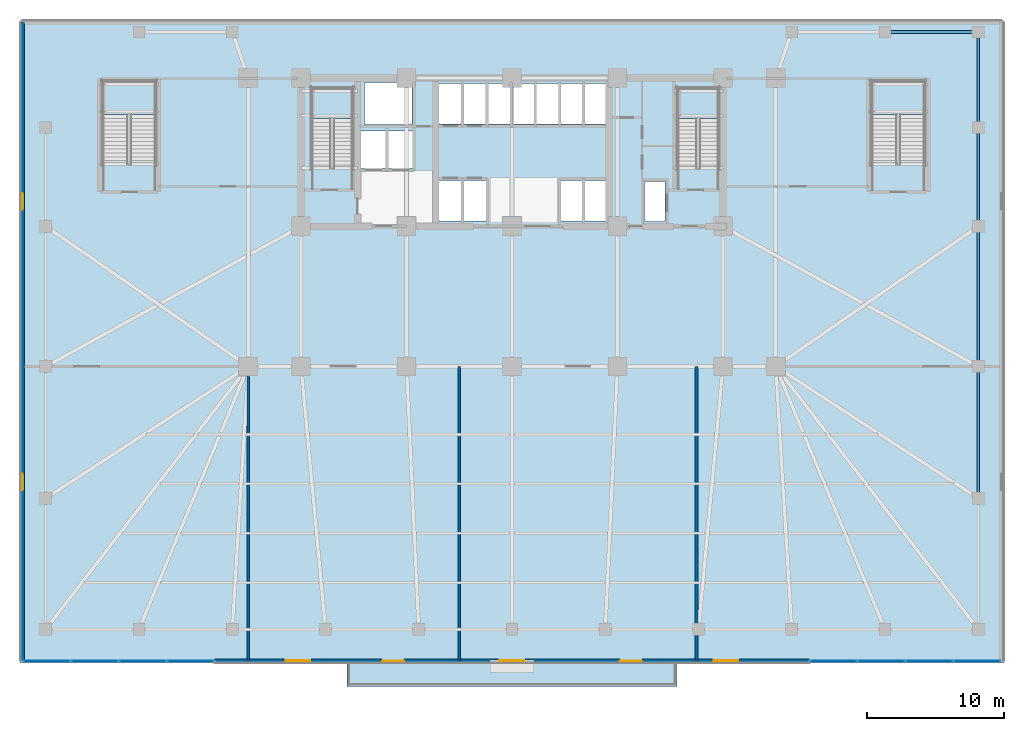
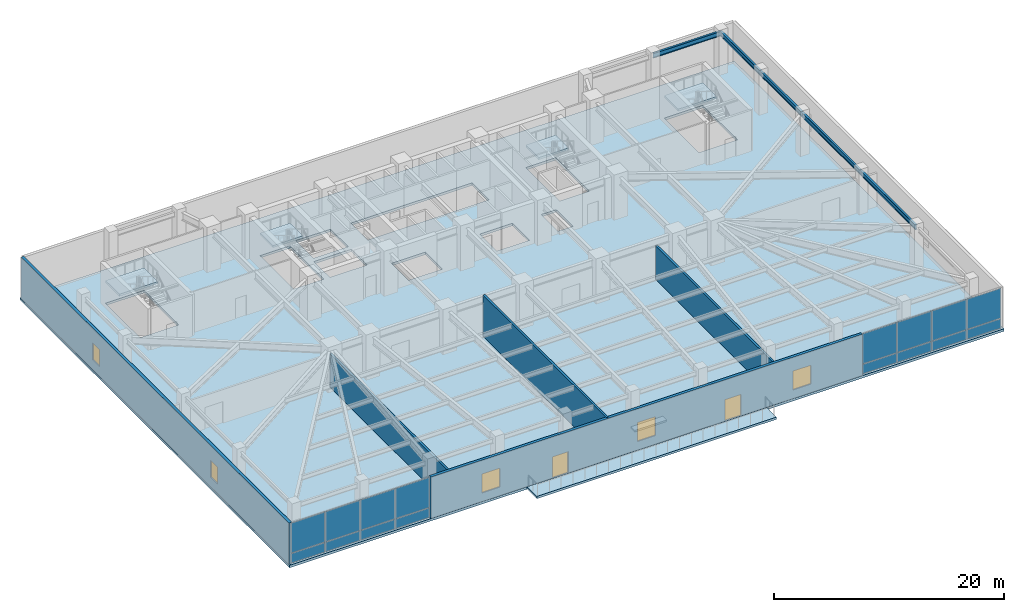
# One storey, part 7 of 15: 16 plates, 6 slabs, 5 beams, 5 walls, 5 windows, 2 doors, 7 openings, 6 elements without a shape of their own.
"""IFC4 building model written with IfcOpenShell, lengths in metres."""

from ifc_helpers import new_model, si_unit, direction, frame, frame_2d, origin, origin_2d, place, context, subcontext, project, spatial, polyline, rectangle, i_section, outline, extrude, material, layer, layer_set, material_profile, profile_set, type_object, element, fill, aggregate, save


model = new_model("IFC4")

# Units and contexts
model_context = context("Model", 3, precision=1e-05, world=origin(), true_north=direction((0.0, 1.0)))
body_context = subcontext(model_context, "Body", "Model", "MODEL_VIEW")
ifc_project = project(units=[si_unit("LENGTHUNIT", "METRE"), si_unit("AREAUNIT", "SQUARE_METRE"), si_unit("VOLUMEUNIT", "CUBIC_METRE"), si_unit("PLANEANGLEUNIT", "RADIAN"), si_unit("MASSUNIT", "GRAM", prefix="KILO")], contexts=[model_context])

# Site, building, storey
site_placement = place(None, origin())
site = spatial("IfcSite", under=ifc_project, at=site_placement, CompositionType="ELEMENT")
building_placement = place(site_placement, origin())
building = spatial("IfcBuilding", under=site, at=building_placement, Name="Yelkora Congress Tower", CompositionType="ELEMENT")
storey_placement = place(building_placement, frame((0.0, 0.0, 20.39990234375)))
storey = spatial("IfcBuildingStorey", under=building, at=storey_placement, Name="L04", CompositionType="ELEMENT", Elevation=20.39990234375)

# Beams
ifc_material_1 = material(Name="Steel S355J2", Category="steel")
ifc_material_profile = material_profile(ifc_material_1, i_section(OverallWidth=0.199951171875, OverallDepth=0.5, WebThickness=0.01025390625, FlangeThickness=0.01611328125, FilletRadius=0.02099609375, at=origin_2d()), Name="IPE 500")
ifc_profile_set = profile_set([ifc_material_profile], Name="Steel S355J2")
beam_type = type_object("IfcBeamType", Name="BM-SPAN-IPE500B", PredefinedType="BEAM", material=ifc_profile_set)
beam_1_placement = place(storey_placement, frame((72.35009765625, 15.60009765625, 4.130126953125), z_axis=(0.0, 1.0, 0.0), x_axis=(-1.0, 0.0, 0.0)))
element("IfcBeam", 1, at=beam_1_placement, inside=storey, type_object=beam_type, Name="L04 Perimeter Beam 13", PredefinedType="BEAM", context=body_context, shape_type="SweptSolid", body=[
    extrude(i_section(OverallWidth=0.199951171875, OverallDepth=0.5, WebThickness=0.01025390625, FlangeThickness=0.01611328125, FilletRadius=0.02099609375, at=origin_2d()), origin(), (0.0, 0.0, 1.0), 9.599853515625),
])
beam_2_placement = place(storey_placement, frame((72.35009765625, 25.199951171875, 4.130126953125), z_axis=(0.0, 1.0, 0.0), x_axis=(-1.0, 0.0, 0.0)))
element("IfcBeam", 2, at=beam_2_placement, inside=storey, type_object=beam_type, Name="L04 Perimeter Beam 14", PredefinedType="BEAM", context=body_context, shape_type="SweptSolid", body=[
    extrude(i_section(OverallWidth=0.199951171875, OverallDepth=0.5, WebThickness=0.01025390625, FlangeThickness=0.01611328125, FilletRadius=0.02099609375, at=origin_2d()), origin(), (0.0, 0.0, 1.0), 10.199951171875),
])
beam_3_placement = place(storey_placement, frame((72.35009765625, 35.39990234375, 4.130126953125), z_axis=(0.0, 1.0, 0.0), x_axis=(-1.0, 0.0, 0.0)))
element("IfcBeam", 3, at=beam_3_placement, inside=storey, type_object=beam_type, Name="L04 Perimeter Beam 15", PredefinedType="BEAM", context=body_context, shape_type="SweptSolid", body=[
    extrude(i_section(OverallWidth=0.199951171875, OverallDepth=0.5, WebThickness=0.01025390625, FlangeThickness=0.01611328125, FilletRadius=0.02099609375, at=origin_2d()), origin(), (0.0, 0.0, 1.0), 7.2001953125),
])
beam_4_placement = place(storey_placement, frame((72.35009765625, 42.60009765625, 4.130126953125), z_axis=(0.0, 1.0, 0.0), x_axis=(-1.0, 0.0, 0.0)))
element("IfcBeam", 4, at=beam_4_placement, inside=storey, type_object=beam_type, Name="L04 Perimeter Beam 16", PredefinedType="BEAM", context=body_context, shape_type="SweptSolid", body=[
    extrude(i_section(OverallWidth=0.199951171875, OverallDepth=0.5, WebThickness=0.01025390625, FlangeThickness=0.01611328125, FilletRadius=0.02099609375, at=origin_2d()), origin(), (0.0, 0.0, 1.0), 6.949951171875),
])
beam_5_placement = place(storey_placement, frame((72.35009765625, 49.550048828125, 4.130126953125), z_axis=(-1.0, 0.0, 0.0), x_axis=(0.0, -1.0, 0.0)))
element("IfcBeam", 5, at=beam_5_placement, inside=storey, type_object=beam_type, Name="L04 Perimeter Beam 17", PredefinedType="BEAM", context=body_context, shape_type="SweptSolid", body=[
    extrude(i_section(OverallWidth=0.199951171875, OverallDepth=0.5, WebThickness=0.01025390625, FlangeThickness=0.01611328125, FilletRadius=0.02099609375, at=origin_2d()), origin(), (0.0, 0.0, 1.0), 6.7900390625),
])

# Curtain wall, plates
ifc_material_2 = material(Name="Anodised aluminium and insulated glass", Category="aluminium")
curtain_wall_type = type_object("IfcCurtainWallType", Name="CW-SYS-POD", PredefinedType="NOTDEFINED", material=ifc_material_2)
curtain_wall_1_placement = place(storey_placement, origin())
curtain_wall_1 = element("IfcCurtainWall", 6, at=curtain_wall_1_placement, inside=storey, type_object=curtain_wall_type, Name="L04 Podium Curtain Wall West", PredefinedType="NOTDEFINED")
ifc_material_3 = material(Name="Double-glazed low-E podium vision glass", Category="glass")
ifc_layer_1 = layer(ifc_material_3, 0.0439453125)
ifc_layer_set_1 = layer_set([ifc_layer_1], Name="Double-glazed low-E podium vision glass")
plate_type = type_object("IfcPlateType", Name="PLT-PN-POD", PredefinedType="CURTAIN_PANEL", material=ifc_layer_set_1)
plate_1_placement = place(storey_placement, frame((4.52880859375, 3.760009765625, 0.070068359375), z_axis=(0.0, 0.0, 1.0), x_axis=(1.0, 0.0, 0.0)))
plate_1 = element("IfcPlate", 7, at=plate_1_placement, type_object=plate_type, Name="CW-POD panel 1.1", PredefinedType="CURTAIN_PANEL", context=body_context, shape_type="SweptSolid", body=[
    extrude(rectangle(XDim=3.387451171875, YDim=0.0439453125, at=origin_2d()), origin(), (0.0, 0.0, 1.0), 0.9951171875),
])
plate_2_placement = place(storey_placement, frame((4.52880859375, 3.760009765625, 1.13525390625), z_axis=(0.0, 0.0, 1.0), x_axis=(1.0, 0.0, 0.0)))
plate_2 = element("IfcPlate", 8, at=plate_2_placement, type_object=plate_type, Name="CW-POD panel 1.2", PredefinedType="CURTAIN_PANEL", context=body_context, shape_type="SweptSolid", body=[
    extrude(rectangle(XDim=3.387451171875, YDim=0.0439453125, at=origin_2d()), origin(), (0.0, 0.0, 1.0), 3.175048828125),
])
plate_3_placement = place(storey_placement, frame((8.010009765625, 3.760009765625, 0.070068359375), z_axis=(0.0, 0.0, 1.0), x_axis=(1.0, 0.0, 0.0)))
plate_3 = element("IfcPlate", 9, at=plate_3_placement, type_object=plate_type, Name="CW-POD panel 2.1", PredefinedType="CURTAIN_PANEL", context=body_context, shape_type="SweptSolid", body=[
    extrude(rectangle(XDim=3.425048828125, YDim=0.0439453125, at=origin_2d()), origin(), (0.0, 0.0, 1.0), 0.9951171875),
])
plate_4_placement = place(storey_placement, frame((8.010009765625, 3.760009765625, 1.13525390625), z_axis=(0.0, 0.0, 1.0), x_axis=(1.0, 0.0, 0.0)))
plate_4 = element("IfcPlate", 10, at=plate_4_placement, type_object=plate_type, Name="CW-POD panel 2.2", PredefinedType="CURTAIN_PANEL", context=body_context, shape_type="SweptSolid", body=[
    extrude(rectangle(XDim=3.425048828125, YDim=0.0439453125, at=origin_2d()), origin(), (0.0, 0.0, 1.0), 3.175048828125),
])
plate_5_placement = place(storey_placement, frame((11.510009765625, 3.760009765625, 0.070068359375), z_axis=(0.0, 0.0, 1.0), x_axis=(1.0, 0.0, 0.0)))
plate_5 = element("IfcPlate", 11, at=plate_5_placement, type_object=plate_type, Name="CW-POD panel 3.1", PredefinedType="CURTAIN_PANEL", context=body_context, shape_type="SweptSolid", body=[
    extrude(rectangle(XDim=3.425048828125, YDim=0.0439453125, at=origin_2d()), origin(), (0.0, 0.0, 1.0), 0.9951171875),
])
plate_6_placement = place(storey_placement, frame((11.510009765625, 3.760009765625, 1.13525390625), z_axis=(0.0, 0.0, 1.0), x_axis=(1.0, 0.0, 0.0)))
plate_6 = element("IfcPlate", 12, at=plate_6_placement, type_object=plate_type, Name="CW-POD panel 3.2", PredefinedType="CURTAIN_PANEL", context=body_context, shape_type="SweptSolid", body=[
    extrude(rectangle(XDim=3.425048828125, YDim=0.0439453125, at=origin_2d()), origin(), (0.0, 0.0, 1.0), 3.175048828125),
])
plate_7_placement = place(storey_placement, frame((14.9912109375, 3.760009765625, 0.070068359375), z_axis=(0.0, 0.0, 1.0), x_axis=(1.0, 0.0, 0.0)))
plate_7 = element("IfcPlate", 13, at=plate_7_placement, type_object=plate_type, Name="CW-POD panel 4.1", PredefinedType="CURTAIN_PANEL", context=body_context, shape_type="SweptSolid", body=[
    extrude(rectangle(XDim=3.387451171875, YDim=0.0439453125, at=origin_2d()), origin(), (0.0, 0.0, 1.0), 0.9951171875),
])
plate_8_placement = place(storey_placement, frame((14.9912109375, 3.760009765625, 1.13525390625), z_axis=(0.0, 0.0, 1.0), x_axis=(1.0, 0.0, 0.0)))
plate_8 = element("IfcPlate", 14, at=plate_8_placement, type_object=plate_type, Name="CW-POD panel 4.2", PredefinedType="CURTAIN_PANEL", context=body_context, shape_type="SweptSolid", body=[
    extrude(rectangle(XDim=3.387451171875, YDim=0.0439453125, at=origin_2d()), origin(), (0.0, 0.0, 1.0), 3.175048828125),
])
aggregate(curtain_wall_1, [plate_1, plate_2, plate_3, plate_4, plate_5, plate_6, plate_7, plate_8])

curtain_wall_2_placement = place(storey_placement, origin())
curtain_wall_2 = element("IfcCurtainWall", 15, at=curtain_wall_2_placement, inside=storey, type_object=curtain_wall_type, Name="L04 Podium Curtain Wall East", PredefinedType="NOTDEFINED")
plate_9_placement = place(storey_placement, frame((61.808837890625, 3.760009765625, 0.070068359375), z_axis=(0.0, 0.0, 1.0), x_axis=(1.0, 0.0, 0.0)))
plate_9 = element("IfcPlate", 16, at=plate_9_placement, type_object=plate_type, Name="CW-POD panel 1.1", PredefinedType="CURTAIN_PANEL", context=body_context, shape_type="SweptSolid", body=[
    extrude(rectangle(XDim=3.387451171875, YDim=0.0439453125, at=origin_2d()), origin(), (0.0, 0.0, 1.0), 0.9951171875),
])
plate_10_placement = place(storey_placement, frame((61.808837890625, 3.760009765625, 1.13525390625), z_axis=(0.0, 0.0, 1.0), x_axis=(1.0, 0.0, 0.0)))
plate_10 = element("IfcPlate", 17, at=plate_10_placement, type_object=plate_type, Name="CW-POD panel 1.2", PredefinedType="CURTAIN_PANEL", context=body_context, shape_type="SweptSolid", body=[
    extrude(rectangle(XDim=3.387451171875, YDim=0.0439453125, at=origin_2d()), origin(), (0.0, 0.0, 1.0), 3.175048828125),
])
plate_11_placement = place(storey_placement, frame((65.2900390625, 3.760009765625, 0.070068359375), z_axis=(0.0, 0.0, 1.0), x_axis=(1.0, 0.0, 0.0)))
plate_11 = element("IfcPlate", 18, at=plate_11_placement, type_object=plate_type, Name="CW-POD panel 2.1", PredefinedType="CURTAIN_PANEL", context=body_context, shape_type="SweptSolid", body=[
    extrude(rectangle(XDim=3.425048828125, YDim=0.0439453125, at=origin_2d()), origin(), (0.0, 0.0, 1.0), 0.9951171875),
])
plate_12_placement = place(storey_placement, frame((65.2900390625, 3.760009765625, 1.13525390625), z_axis=(0.0, 0.0, 1.0), x_axis=(1.0, 0.0, 0.0)))
plate_12 = element("IfcPlate", 19, at=plate_12_placement, type_object=plate_type, Name="CW-POD panel 2.2", PredefinedType="CURTAIN_PANEL", context=body_context, shape_type="SweptSolid", body=[
    extrude(rectangle(XDim=3.425048828125, YDim=0.0439453125, at=origin_2d()), origin(), (0.0, 0.0, 1.0), 3.175048828125),
])
plate_13_placement = place(storey_placement, frame((68.7900390625, 3.760009765625, 0.070068359375), z_axis=(0.0, 0.0, 1.0), x_axis=(1.0, 0.0, 0.0)))
plate_13 = element("IfcPlate", 20, at=plate_13_placement, type_object=plate_type, Name="CW-POD panel 3.1", PredefinedType="CURTAIN_PANEL", context=body_context, shape_type="SweptSolid", body=[
    extrude(rectangle(XDim=3.425048828125, YDim=0.0439453125, at=origin_2d()), origin(), (0.0, 0.0, 1.0), 0.9951171875),
])
plate_14_placement = place(storey_placement, frame((68.7900390625, 3.760009765625, 1.13525390625), z_axis=(0.0, 0.0, 1.0), x_axis=(1.0, 0.0, 0.0)))
plate_14 = element("IfcPlate", 21, at=plate_14_placement, type_object=plate_type, Name="CW-POD panel 3.2", PredefinedType="CURTAIN_PANEL", context=body_context, shape_type="SweptSolid", body=[
    extrude(rectangle(XDim=3.425048828125, YDim=0.0439453125, at=origin_2d()), origin(), (0.0, 0.0, 1.0), 3.175048828125),
])
plate_15_placement = place(storey_placement, frame((72.271240234375, 3.760009765625, 0.070068359375), z_axis=(0.0, 0.0, 1.0), x_axis=(1.0, 0.0, 0.0)))
plate_15 = element("IfcPlate", 22, at=plate_15_placement, type_object=plate_type, Name="CW-POD panel 4.1", PredefinedType="CURTAIN_PANEL", context=body_context, shape_type="SweptSolid", body=[
    extrude(rectangle(XDim=3.387451171875, YDim=0.0439453125, at=origin_2d()), origin(), (0.0, 0.0, 1.0), 0.9951171875),
])
plate_16_placement = place(storey_placement, frame((72.271240234375, 3.760009765625, 1.13525390625), z_axis=(0.0, 0.0, 1.0), x_axis=(1.0, 0.0, 0.0)))
plate_16 = element("IfcPlate", 23, at=plate_16_placement, type_object=plate_type, Name="CW-POD panel 4.2", PredefinedType="CURTAIN_PANEL", context=body_context, shape_type="SweptSolid", body=[
    extrude(rectangle(XDim=3.387451171875, YDim=0.0439453125, at=origin_2d()), origin(), (0.0, 0.0, 1.0), 3.175048828125),
])
aggregate(curtain_wall_2, [plate_9, plate_10, plate_11, plate_12, plate_13, plate_14, plate_15, plate_16])

# Stair, slab
ifc_material_4 = material(Name="Concrete C40/50", Category="concrete")
stair_type_1 = type_object("IfcStairType", Name="STAIR-HT-1420-R28-171", PredefinedType="HALF_TURN_STAIR", material=ifc_material_4)
stair_1_placement = place(storey_placement, origin())
stair_1 = element("IfcStair", 24, at=stair_1_placement, inside=storey, type_object=stair_type_1, Name="West Core Protected Exit Stair ST-01 (L04)", PredefinedType="HALF_TURN_STAIR")
ifc_layer_2 = layer(ifc_material_4, 0.219970703125)
ifc_layer_set_2 = layer_set([ifc_layer_2], Name="Concrete C40/50")
slab_type_1 = type_object("IfcSlabType", Name="SLAB-LANDING-220", PredefinedType="LANDING", material=ifc_layer_set_2)
slab_1_placement = place(storey_placement, frame((0.0, 0.0, 2.18017578125)))
slab_1 = element("IfcSlab", 25, at=slab_1_placement, type_object=slab_type_1, Name="ST-01 L04 Half Landing 1", PredefinedType="LANDING", context=body_context, shape_type="SweptSolid", body=[
    extrude(outline(polyline([(26.820068359375, 43.239990234375), (26.820068359375, 45.469970703125), (23.820068359375, 45.469970703125), (23.820068359375, 43.239990234375), (26.820068359375, 43.239990234375)])), origin(), (0.0, 0.0, 1.0), 0.219970703125),
])
aggregate(stair_1, [slab_1])

stair_2_placement = place(storey_placement, origin())
stair_2 = element("IfcStair", 26, at=stair_2_placement, inside=storey, type_object=stair_type_1, Name="East Core Protected Exit Stair ST-02 (L04)", PredefinedType="HALF_TURN_STAIR")
slab_2_placement = place(storey_placement, frame((0.0, 0.0, 2.18017578125)))
slab_2 = element("IfcSlab", 27, at=slab_2_placement, type_object=slab_type_1, Name="ST-02 L04 Half Landing 1", PredefinedType="LANDING", context=body_context, shape_type="SweptSolid", body=[
    extrude(outline(polyline([(53.4599609375, 43.239990234375), (53.4599609375, 45.469970703125), (50.4599609375, 45.469970703125), (50.4599609375, 43.239990234375), (53.4599609375, 43.239990234375)])), origin(), (0.0, 0.0, 1.0), 0.219970703125),
])
aggregate(stair_2, [slab_2])

stair_type_2 = type_object("IfcStairType", Name="STAIR-HT-1850-R28-171", PredefinedType="HALF_TURN_STAIR", material=ifc_material_4)
stair_3_placement = place(storey_placement, origin())
stair_3 = element("IfcStair", 28, at=stair_3_placement, inside=storey, type_object=stair_type_2, Name="Podium Exit Stair ST-P1 (L04)", PredefinedType="HALF_TURN_STAIR")
slab_3_placement = place(storey_placement, frame((0.0, 0.0, 2.18017578125)))
slab_3 = element("IfcSlab", 29, at=slab_3_placement, type_object=slab_type_1, Name="ST-P1 L04 Half Landing 1", PredefinedType="LANDING", context=body_context, shape_type="SweptSolid", body=[
    extrude(outline(polyline([(12.4599609375, 43.5400390625), (12.4599609375, 45.949951171875), (8.60009765625, 45.949951171875), (8.60009765625, 43.5400390625), (12.4599609375, 43.5400390625)])), origin(), (0.0, 0.0, 1.0), 0.219970703125),
])
aggregate(stair_3, [slab_3])

stair_4_placement = place(storey_placement, origin())
stair_4 = element("IfcStair", 30, at=stair_4_placement, inside=storey, type_object=stair_type_2, Name="Podium Exit Stair ST-P2 (L04)", PredefinedType="HALF_TURN_STAIR")
slab_4_placement = place(storey_placement, frame((0.0, 0.0, 2.18017578125)))
slab_4 = element("IfcSlab", 31, at=slab_4_placement, type_object=slab_type_1, Name="ST-P2 L04 Half Landing 1", PredefinedType="LANDING", context=body_context, shape_type="SweptSolid", body=[
    extrude(outline(polyline([(68.4599609375, 43.5400390625), (68.4599609375, 45.949951171875), (64.60009765625, 45.949951171875), (64.60009765625, 43.5400390625), (68.4599609375, 43.5400390625)])), origin(), (0.0, 0.0, 1.0), 0.219970703125),
])
aggregate(stair_4, [slab_4])

# Slabs
ifc_layer_3 = layer(ifc_material_4, 0.260009765625)
ifc_layer_set_3 = layer_set([ifc_layer_3], Name="Concrete C40/50")
slab_type_2 = type_object("IfcSlabType", Name="SLAB-POD-260", PredefinedType="FLOOR", material=ifc_layer_set_3)
slab_5_placement = place(storey_placement, frame((0.0, 0.0, -0.260009765625)))
element("IfcSlab", 32, at=slab_5_placement, inside=storey, type_object=slab_type_2, Name="L04 Structural Floor Slab", PredefinedType="FLOOR", context=body_context, shape_type="SweptSolid", body=[
    extrude(outline(polyline([(2.60009765625, 3.60009765625), (74.199951171875, 3.60009765625), (74.199951171875, 50.39990234375), (2.60009765625, 50.39990234375), (2.60009765625, 3.60009765625)]), holes=[polyline([(23.820068359375, 39.6298828125), (26.820068359375, 39.6298828125), (26.820068359375, 45.469970703125), (23.820068359375, 45.469970703125), (23.820068359375, 39.6298828125)]), polyline([(50.4599609375, 39.6298828125), (53.4599609375, 39.6298828125), (53.4599609375, 45.469970703125), (50.4599609375, 45.469970703125), (50.4599609375, 39.6298828125)]), polyline([(8.60009765625, 39.929931640625), (12.4599609375, 39.929931640625), (12.4599609375, 45.949951171875), (8.60009765625, 45.949951171875), (8.60009765625, 39.929931640625)]), polyline([(64.60009765625, 39.929931640625), (68.4599609375, 39.929931640625), (68.4599609375, 45.949951171875), (64.60009765625, 45.949951171875), (64.60009765625, 39.929931640625)]), polyline([(48.050048828125, 35.75), (49.550048828125, 35.75), (49.550048828125, 38.64990234375), (48.050048828125, 38.64990234375), (48.050048828125, 35.75)]), polyline([(41.949951171875, 35.800048828125), (45.25, 35.800048828125), (45.25, 38.75), (41.949951171875, 38.75), (41.949951171875, 35.800048828125)]), polyline([(33.10009765625, 42.85009765625), (45.25, 42.85009765625), (45.25, 45.800048828125), (33.10009765625, 45.800048828125), (33.10009765625, 42.85009765625)]), polyline([(33.10009765625, 35.800048828125), (36.5, 35.800048828125), (36.5, 38.75), (33.10009765625, 38.75), (33.10009765625, 35.800048828125)]), polyline([(27.419921875, 39.60009765625), (31.179931640625, 39.60009765625), (31.179931640625, 42.35009765625), (27.419921875, 42.35009765625), (27.419921875, 39.60009765625)]), polyline([(27.64990234375, 42.820068359375), (31.1201171875, 42.820068359375), (31.1201171875, 45.8798828125), (27.64990234375, 45.8798828125), (27.64990234375, 42.820068359375)])]), origin(), (0.0, 0.0, 1.0), 0.260009765625),
])
ifc_layer_4 = layer(ifc_material_4, 0.239990234375)
ifc_layer_set_4 = layer_set([ifc_layer_4], Name="Concrete C40/50")
slab_type_3 = type_object("IfcSlabType", Name="SLAB-TER-240", PredefinedType="FLOOR", material=ifc_layer_set_4)
slab_6_placement = place(storey_placement, frame((0.0, 0.0, -0.239990234375)))
element("IfcSlab", 33, at=slab_6_placement, inside=storey, type_object=slab_type_3, Name="L04 Planted Sky Garden Terrace Slab", PredefinedType="FLOOR", context=body_context, shape_type="SweptSolid", body=[
    extrude(outline(polyline([(26.39990234375, 1.89990234375), (26.39990234375, 3.60009765625), (50.39990234375, 3.60009765625), (50.39990234375, 1.89990234375), (26.39990234375, 1.89990234375)])), origin(), (0.0, 0.0, 1.0), 0.239990234375),
])

# Wall, openings, windows
ifc_layer_5 = layer(ifc_material_4, 0.280029296875)
ifc_layer_set_5 = layer_set([ifc_layer_5], Name="Concrete C40/50")
wall_type_1 = type_object("IfcWallType", Name="WALL-EXT-LIMESTONE-280", PredefinedType="SOLIDWALL", material=ifc_layer_set_5)
wall_1_placement = place(storey_placement, frame((2.760009765625, 3.760009765625, 0.0), z_axis=(0.0, 0.0, 1.0), x_axis=(0.0, 1.0, 0.0)))
wall_1 = element("IfcWall", 34, at=wall_1_placement, inside=storey, type_object=wall_type_1, Name="L04 Podium Limestone Wall 1", PredefinedType="SOLIDWALL", context=body_context, shape_type="SweptSolid", body=[
    extrude(rectangle(XDim=46.47998046875, YDim=0.280029296875, at=frame_2d((23.239990234375, 0.0))), origin(), (0.0, 0.0, 1.0), 4.380126953125),
])
opening_1_placement = place(wall_1_placement, frame((12.414306640625, 0.0, 1.0)))
opening_1 = element("IfcOpeningElement", 35, at=opening_1_placement, cuts=wall_1, Name="Opening WN-12", PredefinedType="OPENING", context=body_context, shape_type="SweptSolid", body=[
    extrude(rectangle(XDim=1.199951171875, YDim=1.800048828125, at=frame_2d((0.60009765625, 0.89990234375))), frame((0.0, 0.14990234375, 0.0), z_axis=(0.0, -1.0, 0.0), x_axis=(1.0, 0.0, 0.0)), (0.0, 0.0, 1.0), 0.300048828125),
])
opening_2_placement = place(wall_1_placement, frame((32.865478515625, 0.0, 1.0)))
opening_2 = element("IfcOpeningElement", 36, at=opening_2_placement, cuts=wall_1, Name="Opening WN-12", PredefinedType="OPENING", context=body_context, shape_type="SweptSolid", body=[
    extrude(rectangle(XDim=1.199951171875, YDim=1.800048828125, at=frame_2d((0.60009765625, 0.89990234375))), frame((0.0, 0.14990234375, 0.0), z_axis=(0.0, -1.0, 0.0), x_axis=(1.0, 0.0, 0.0)), (0.0, 0.0, 1.0), 0.300048828125),
])
ifc_material_5 = material(Name="Thermally broken aluminium window", Category="aluminium")
window_type_1 = type_object("IfcWindowType", Name="WIN-POD-1200x1800", PartitioningType="SINGLE_PANEL", PredefinedType="WINDOW", material=ifc_material_5)
window_1_placement = place(opening_1_placement, origin())
window_1 = element("IfcWindow", 37, at=window_1_placement, inside=storey, type_object=window_type_1, Name="L04 Podium Facade Window 1-1", OverallHeight=1.800048828125, OverallWidth=1.199951171875, PartitioningType="SINGLE_PANEL", PredefinedType="WINDOW", context=body_context, shape_type="SweptSolid", body=[
    extrude(rectangle(XDim=1.199951171875, YDim=1.800048828125, at=frame_2d((0.60009765625, 0.89990234375))), frame((0.0, 0.030029296875, 0.0), z_axis=(0.0, -1.0, 0.0), x_axis=(1.0, 0.0, 0.0)), (0.0, 0.0, 1.0), 0.06005859375),
])
fill(opening_1, window_1)
window_2_placement = place(opening_2_placement, origin())
window_2 = element("IfcWindow", 38, at=window_2_placement, inside=storey, type_object=window_type_1, Name="L04 Podium Facade Window 1-2", OverallHeight=1.800048828125, OverallWidth=1.199951171875, PartitioningType="SINGLE_PANEL", PredefinedType="WINDOW", context=body_context, shape_type="SweptSolid", body=[
    extrude(rectangle(XDim=1.199951171875, YDim=1.800048828125, at=frame_2d((0.60009765625, 0.89990234375))), frame((0.0, 0.030029296875, 0.0), z_axis=(0.0, -1.0, 0.0), x_axis=(1.0, 0.0, 0.0)), (0.0, 0.0, 1.0), 0.06005859375),
])
fill(opening_2, window_2)

# Wall, openings, doors, windows
wall_2_placement = place(storey_placement, frame((16.760009765625, 3.760009765625, 0.0), z_axis=(0.0, 0.0, 1.0), x_axis=(1.0, 0.0, 0.0)))
wall_2 = element("IfcWall", 39, at=wall_2_placement, inside=storey, type_object=wall_type_1, Name="L04 Terrace Portal Wall", PredefinedType="SOLIDWALL", context=body_context, shape_type="SweptSolid", body=[
    extrude(rectangle(XDim=43.280029296875, YDim=0.280029296875, at=frame_2d((21.64013671875, 0.0))), origin(), (0.0, 0.0, 1.0), 4.380126953125),
])
opening_3_placement = place(wall_2_placement, frame((12.18408203125, 0.0, 0.0)))
opening_3 = element("IfcOpeningElement", 40, at=opening_3_placement, cuts=wall_2, Name="Opening DE-160T", PredefinedType="OPENING", context=body_context, shape_type="SweptSolid", body=[
    extrude(rectangle(XDim=1.60009765625, YDim=2.25, at=frame_2d((0.800048828125, 1.125))), frame((0.0, 0.14990234375, 0.0), z_axis=(0.0, -1.0, 0.0), x_axis=(1.0, 0.0, 0.0)), (0.0, 0.0, 1.0), 0.300048828125),
])
opening_4_placement = place(wall_2_placement, frame((29.49609375, 0.0, 0.0)))
opening_4 = element("IfcOpeningElement", 41, at=opening_4_placement, cuts=wall_2, Name="Opening DE-160T", PredefinedType="OPENING", context=body_context, shape_type="SweptSolid", body=[
    extrude(rectangle(XDim=1.60009765625, YDim=2.25, at=frame_2d((0.800048828125, 1.125))), frame((0.0, 0.14990234375, 0.0), z_axis=(0.0, -1.0, 0.0), x_axis=(1.0, 0.0, 0.0)), (0.0, 0.0, 1.0), 0.300048828125),
])
opening_5_placement = place(wall_2_placement, frame((5.1591796875, 0.0, 0.89990234375)))
opening_5 = element("IfcOpeningElement", 42, at=opening_5_placement, cuts=wall_2, Name="Opening WN-18", PredefinedType="OPENING", context=body_context, shape_type="SweptSolid", body=[
    extrude(rectangle(XDim=1.800048828125, YDim=2.0, at=frame_2d((0.89990234375, 1.0))), frame((0.0, 0.14990234375, 0.0), z_axis=(0.0, -1.0, 0.0), x_axis=(1.0, 0.0, 0.0)), (0.0, 0.0, 1.0), 0.300048828125),
])
opening_6_placement = place(wall_2_placement, frame((20.739990234375, 0.0, 0.89990234375)))
opening_6 = element("IfcOpeningElement", 43, at=opening_6_placement, cuts=wall_2, Name="Opening WN-18", PredefinedType="OPENING", context=body_context, shape_type="SweptSolid", body=[
    extrude(rectangle(XDim=1.800048828125, YDim=2.0, at=frame_2d((0.89990234375, 1.0))), frame((0.0, 0.14990234375, 0.0), z_axis=(0.0, -1.0, 0.0), x_axis=(1.0, 0.0, 0.0)), (0.0, 0.0, 1.0), 0.300048828125),
])
opening_7_placement = place(wall_2_placement, frame((36.32080078125, 0.0, 0.89990234375)))
opening_7 = element("IfcOpeningElement", 44, at=opening_7_placement, cuts=wall_2, Name="Opening WN-18", PredefinedType="OPENING", context=body_context, shape_type="SweptSolid", body=[
    extrude(rectangle(XDim=1.800048828125, YDim=2.0, at=frame_2d((0.89990234375, 1.0))), frame((0.0, 0.14990234375, 0.0), z_axis=(0.0, -1.0, 0.0), x_axis=(1.0, 0.0, 0.0)), (0.0, 0.0, 1.0), 0.300048828125),
])
ifc_material_6 = material(Name="Thermally broken aluminium glazed terrace door", Category="aluminium")
door_type = type_object("IfcDoorType", Name="DOOR-EXT-TERRACE-1600", OperationType="DOUBLE_DOOR_SINGLE_SWING", PredefinedType="DOOR", material=ifc_material_6)
door_1_placement = place(opening_3_placement, frame((1.60009765625, 0.0, 0.0), z_axis=(0.0, 0.0, 1.0), x_axis=(-1.0, 0.0, 0.0)))
door_1 = element("IfcDoor", 45, at=door_1_placement, inside=storey, type_object=door_type, Name="L04 Planted Podium Terrace Door 1", OperationType="SINGLE_SWING_LEFT", OverallHeight=2.25, OverallWidth=1.60009765625, PredefinedType="DOOR", context=body_context, shape_type="SweptSolid", body=[
    extrude(rectangle(XDim=1.60009765625, YDim=2.25, at=frame_2d((0.800048828125, 1.125))), frame((0.0, 0.02490234375, 0.0), z_axis=(0.0, -1.0, 0.0), x_axis=(1.0, 0.0, 0.0)), (0.0, 0.0, 1.0), 0.050048828125),
])
fill(opening_3, door_1)
door_2_placement = place(opening_4_placement, frame((1.60009765625, 0.0, 0.0), z_axis=(0.0, 0.0, 1.0), x_axis=(-1.0, 0.0, 0.0)))
door_2 = element("IfcDoor", 46, at=door_2_placement, inside=storey, type_object=door_type, Name="L04 Planted Podium Terrace Door 2", OperationType="SINGLE_SWING_LEFT", OverallHeight=2.25, OverallWidth=1.60009765625, PredefinedType="DOOR", context=body_context, shape_type="SweptSolid", body=[
    extrude(rectangle(XDim=1.60009765625, YDim=2.25, at=frame_2d((0.800048828125, 1.125))), frame((0.0, 0.02490234375, 0.0), z_axis=(0.0, -1.0, 0.0), x_axis=(1.0, 0.0, 0.0)), (0.0, 0.0, 1.0), 0.050048828125),
])
fill(opening_4, door_2)
ifc_material_7 = material(Name="Thermally broken aluminium low-E window", Category="aluminium")
window_type_2 = type_object("IfcWindowType", Name="WIN-POD-1800x2000", PartitioningType="SINGLE_PANEL", PredefinedType="WINDOW", material=ifc_material_7)
window_3_placement = place(opening_5_placement, origin())
window_3 = element("IfcWindow", 47, at=window_3_placement, inside=storey, type_object=window_type_2, Name="L04 Terrace Lounge Window 1", OverallHeight=2.0, OverallWidth=1.800048828125, PartitioningType="SINGLE_PANEL", PredefinedType="WINDOW", context=body_context, shape_type="SweptSolid", body=[
    extrude(rectangle(XDim=1.800048828125, YDim=2.0, at=frame_2d((0.89990234375, 1.0))), frame((0.0, 0.030029296875, 0.0), z_axis=(0.0, -1.0, 0.0), x_axis=(1.0, 0.0, 0.0)), (0.0, 0.0, 1.0), 0.06005859375),
])
fill(opening_5, window_3)
window_4_placement = place(opening_6_placement, origin())
window_4 = element("IfcWindow", 48, at=window_4_placement, inside=storey, type_object=window_type_2, Name="L04 Terrace Lounge Window 2", OverallHeight=2.0, OverallWidth=1.800048828125, PartitioningType="SINGLE_PANEL", PredefinedType="WINDOW", context=body_context, shape_type="SweptSolid", body=[
    extrude(rectangle(XDim=1.800048828125, YDim=2.0, at=frame_2d((0.89990234375, 1.0))), frame((0.0, 0.030029296875, 0.0), z_axis=(0.0, -1.0, 0.0), x_axis=(1.0, 0.0, 0.0)), (0.0, 0.0, 1.0), 0.06005859375),
])
fill(opening_6, window_4)
window_5_placement = place(opening_7_placement, origin())
window_5 = element("IfcWindow", 49, at=window_5_placement, inside=storey, type_object=window_type_2, Name="L04 Terrace Lounge Window 3", OverallHeight=2.0, OverallWidth=1.800048828125, PartitioningType="SINGLE_PANEL", PredefinedType="WINDOW", context=body_context, shape_type="SweptSolid", body=[
    extrude(rectangle(XDim=1.800048828125, YDim=2.0, at=frame_2d((0.89990234375, 1.0))), frame((0.0, 0.030029296875, 0.0), z_axis=(0.0, -1.0, 0.0), x_axis=(1.0, 0.0, 0.0)), (0.0, 0.0, 1.0), 0.06005859375),
])
fill(opening_7, window_5)

# Walls
ifc_material_8 = material(Name="Autoclaved high-density acoustic blockwork", Category="masonry")
ifc_layer_6 = layer(ifc_material_8, 0.199951171875)
ifc_layer_set_6 = layer_set([ifc_layer_6], Name="Autoclaved high-density acoustic blockwork")
wall_type_2 = type_object("IfcWallType", Name="WALL-INT-200-R90", PredefinedType="PARTITIONING", material=ifc_layer_set_6)
wall_3_placement = place(storey_placement, frame((19.199951171875, 3.780029296875, 0.0), z_axis=(0.0, 0.0, 1.0), x_axis=(0.0, 1.0, 0.0)))
element("IfcWall", 50, at=wall_3_placement, inside=storey, type_object=wall_type_2, Name="L04 Partition Wall 39", PredefinedType="PARTITIONING", context=body_context, shape_type="SweptSolid", body=[
    extrude(rectangle(XDim=21.419921875, YDim=0.199951171875, at=frame_2d((10.7099609375, 0.0))), origin(), (0.0, 0.0, 1.0), 3.5751953125),
])
wall_4_placement = place(storey_placement, frame((34.56005859375, 3.780029296875, 0.0), z_axis=(0.0, 0.0, 1.0), x_axis=(0.0, 1.0, 0.0)))
element("IfcWall", 51, at=wall_4_placement, inside=storey, type_object=wall_type_2, Name="L04 Partition Wall 40", PredefinedType="PARTITIONING", context=body_context, shape_type="SweptSolid", body=[
    extrude(rectangle(XDim=21.419921875, YDim=0.199951171875, at=frame_2d((10.7099609375, 0.0))), origin(), (0.0, 0.0, 1.0), 4.380126953125),
])
wall_5_placement = place(storey_placement, frame((51.840087890625, 3.780029296875, 0.0), z_axis=(0.0, 0.0, 1.0), x_axis=(0.0, 1.0, 0.0)))
element("IfcWall", 52, at=wall_5_placement, inside=storey, type_object=wall_type_2, Name="L04 Partition Wall 41", PredefinedType="PARTITIONING", context=body_context, shape_type="SweptSolid", body=[
    extrude(rectangle(XDim=21.419921875, YDim=0.199951171875, at=frame_2d((10.7099609375, 0.0))), origin(), (0.0, 0.0, 1.0), 3.5751953125),
])

save(model, "model.ifc")
